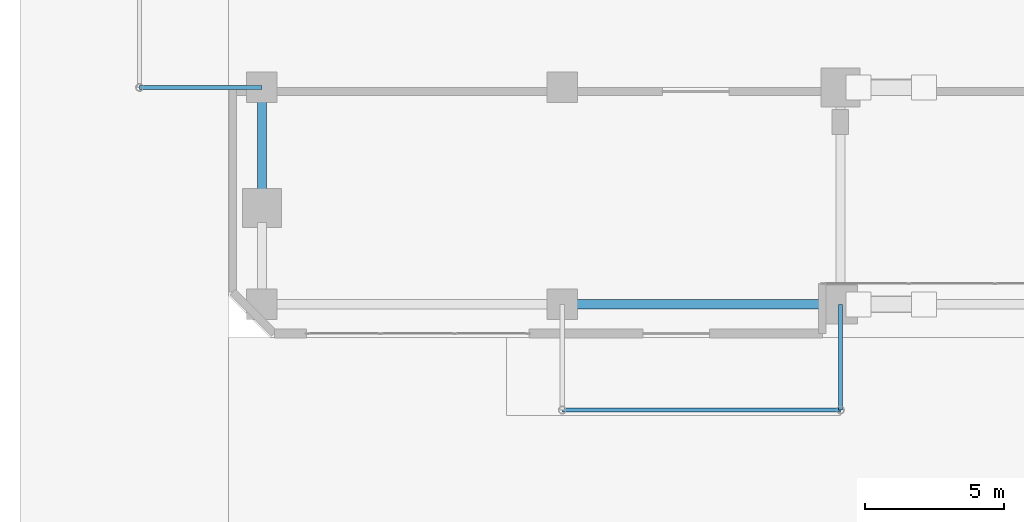
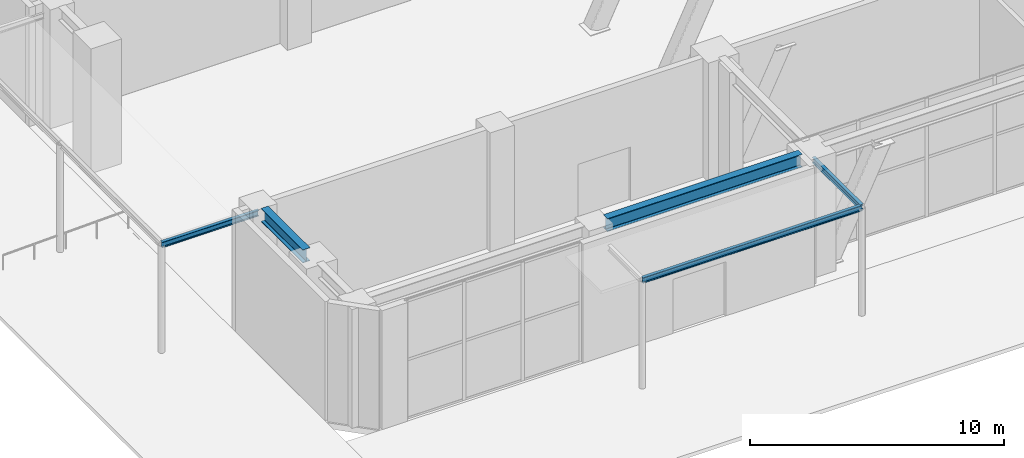
# One storey, part 12 of 49: 5 beams.
"""IFC4 building model written with IfcOpenShell, lengths in metres."""

from ifc_helpers import new_model, si_unit, direction, frame, origin, origin_2d, place, context, subcontext, project, spatial, i_section, extrude, material, material_profile, profile_set, type_object, element, save


model = new_model("IFC4")

# Units and contexts
model_context = context("Model", 3, precision=1e-05, world=origin(), true_north=direction((0.0, 1.0)))
body_context = subcontext(model_context, "Body", "Model", "MODEL_VIEW")
ifc_project = project(units=[si_unit("LENGTHUNIT", "METRE"), si_unit("AREAUNIT", "SQUARE_METRE"), si_unit("VOLUMEUNIT", "CUBIC_METRE"), si_unit("PLANEANGLEUNIT", "RADIAN"), si_unit("MASSUNIT", "GRAM", prefix="KILO")], contexts=[model_context])

# Site, building, storey
site_placement = place(None, origin())
site = spatial("IfcSite", under=ifc_project, at=site_placement, CompositionType="ELEMENT")
building_placement = place(site_placement, origin())
building = spatial("IfcBuilding", under=site, at=building_placement, Name="Sarneth Arch Tower", CompositionType="ELEMENT")
storey_placement = place(building_placement, origin())
storey = spatial("IfcBuildingStorey", under=building, at=storey_placement, Name="L00", CompositionType="ELEMENT", Elevation=0.0)

# Beams
ifc_material_1 = material(Name="Steel S355", Category="steel")
ifc_material_profile_1 = material_profile(ifc_material_1, i_section(OverallWidth=0.14794921875, OverallDepth=0.26611328125, WebThickness=0.007568359375, FlangeThickness=0.012939453125, FilletRadius=0.012939453125, at=origin_2d()), Name="W250x44.8")
ifc_profile_set_1 = profile_set([ifc_material_profile_1], Name="Steel S355")
beam_type_1 = type_object("IfcBeamType", Name="BM-JOIST-250", PredefinedType="JOIST", material=ifc_profile_set_1)
beam_1_placement = place(storey_placement, frame((9.199951171875, 17.0, 5.159912109375), z_axis=(-1.0, 0.0, 0.0), x_axis=(0.0, -1.0, 0.0)))
element("IfcBeam", 1, at=beam_1_placement, inside=storey, type_object=beam_type_1, Name="Entrance canopy outrigger beam ARCH-W.1", PredefinedType="JOIST", context=body_context, shape_type="SweptSolid", body=[
    extrude(i_section(OverallWidth=0.14794921875, OverallDepth=0.26611328125, WebThickness=0.007568359375, FlangeThickness=0.012939453125, FilletRadius=0.012939453125, at=origin_2d()), origin(), (0.0, 0.0, 1.0), 4.39990234375),
])
beam_2_placement = place(storey_placement, frame((30.0, 9.199951171875, 5.159912109375), z_axis=(0.0, -1.0, 0.0), x_axis=(1.0, 0.0, 0.0)))
element("IfcBeam", 2, at=beam_2_placement, inside=storey, type_object=beam_type_1, Name="Entrance canopy outrigger beam SOUTH-W.2", PredefinedType="JOIST", context=body_context, shape_type="SweptSolid", body=[
    extrude(i_section(OverallWidth=0.14794921875, OverallDepth=0.26611328125, WebThickness=0.007568359375, FlangeThickness=0.012939453125, FilletRadius=0.012939453125, at=origin_2d()), origin(), (0.0, 0.0, 1.0), 3.800048828125),
])
beam_3_placement = place(storey_placement, frame((20.0, 5.39990234375, 5.159912109375), z_axis=(1.0, 0.0, 0.0), x_axis=(0.0, 1.0, 0.0)))
element("IfcBeam", 3, at=beam_3_placement, inside=storey, type_object=beam_type_1, Name="Entrance canopy edge beam SOUTH-W.1", PredefinedType="JOIST", context=body_context, shape_type="SweptSolid", body=[
    extrude(i_section(OverallWidth=0.14794921875, OverallDepth=0.26611328125, WebThickness=0.007568359375, FlangeThickness=0.012939453125, FilletRadius=0.012939453125, at=origin_2d()), origin(), (0.0, 0.0, 1.0), 10.0),
])
ifc_material_2 = material(Name="Steel S355", Category="steel")
ifc_material_profile_2 = material_profile(ifc_material_2, i_section(OverallWidth=0.3291015625, OverallDepth=0.635009765625, WebThickness=0.017822265625, FlangeThickness=0.031005859375, FilletRadius=0.01904296875, at=origin_2d()), Name="W610x241")
ifc_profile_set_2 = profile_set([ifc_material_profile_2], Name="Steel S355")
beam_type_2 = type_object("IfcBeamType", Name="BM-POD-610", PredefinedType="BEAM", material=ifc_profile_set_2)
beam_4_placement = place(storey_placement, frame((20.52001953125, 9.199951171875, 5.402587890625), z_axis=(1.0, 0.0, 0.0), x_axis=(0.0, 1.0, 0.0)))
element("IfcBeam", 4, at=beam_4_placement, inside=storey, type_object=beam_type_2, Name="L00 Podium PS girder 2", PredefinedType="BEAM", context=body_context, shape_type="SweptSolid", body=[
    extrude(i_section(OverallWidth=0.3291015625, OverallDepth=0.635009765625, WebThickness=0.017822265625, FlangeThickness=0.031005859375, FilletRadius=0.01904296875, at=origin_2d()), origin(), (0.0, 0.0, 1.0), 8.87548828125),
])
beam_5_placement = place(storey_placement, frame((9.199951171875, 13.183349609375, 5.402587890625), z_axis=(0.0, 1.0, 0.0), x_axis=(-1.0, 0.0, 0.0)))
element("IfcBeam", 5, at=beam_5_placement, inside=storey, type_object=beam_type_2, Name="L00 Podium PW girder 2", PredefinedType="BEAM", context=body_context, shape_type="SweptSolid", body=[
    extrude(i_section(OverallWidth=0.3291015625, OverallDepth=0.635009765625, WebThickness=0.017822265625, FlangeThickness=0.031005859375, FilletRadius=0.01904296875, at=origin_2d()), origin(), (0.0, 0.0, 1.0), 3.296630859375),
])

save(model, "model.ifc")
